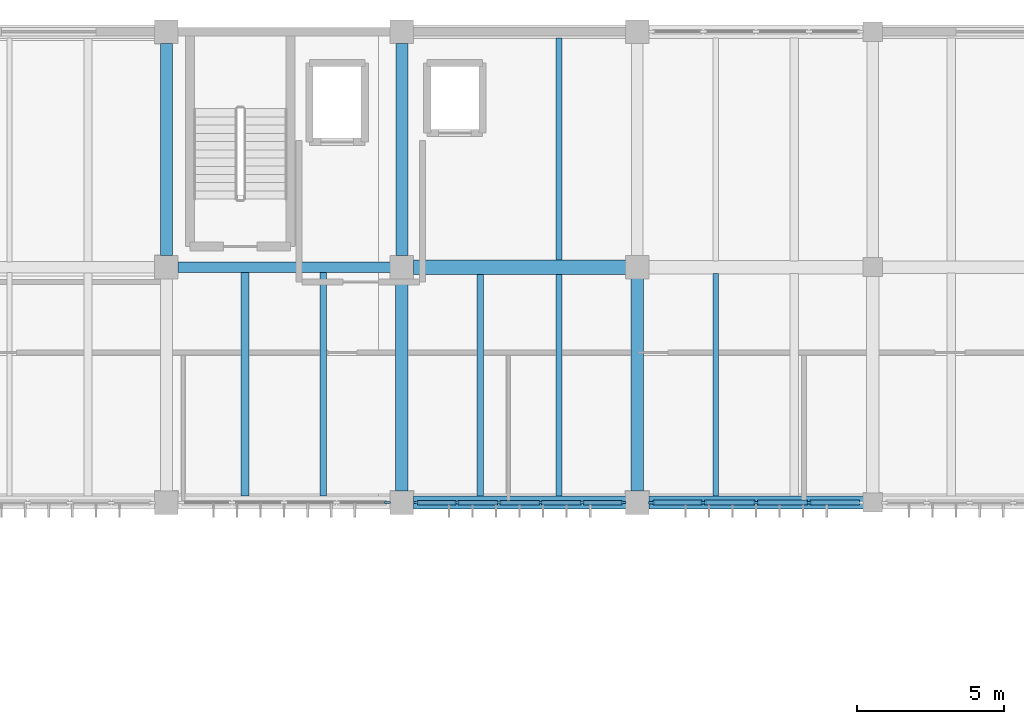
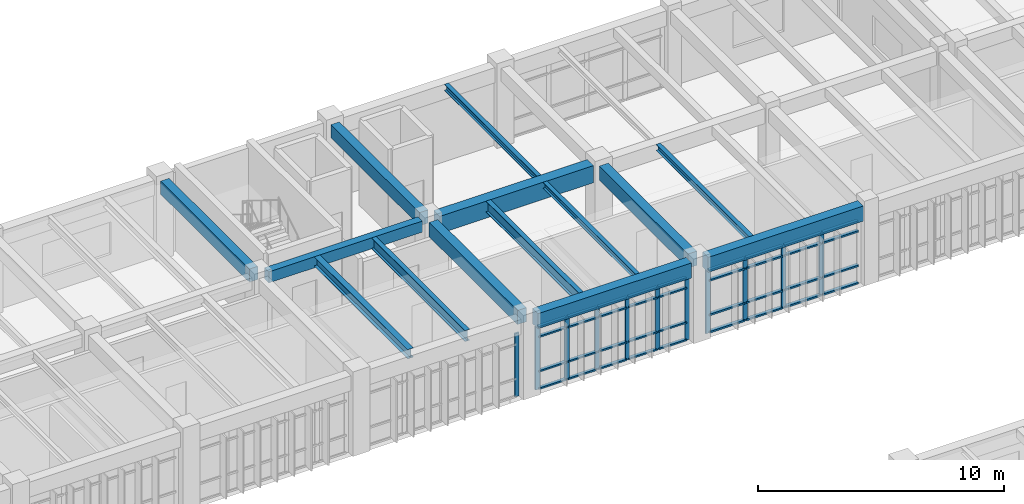
# One storey, part 21 of 67: 47 members, 14 beams, 3 elements without a shape of their own.
"""IFC4 building model written with IfcOpenShell, lengths in metres."""

from ifc_helpers import new_model, si_unit, direction, frame, origin, origin_2d, place, context, subcontext, project, spatial, rectangle, i_section, extrude, material, material_profile, profile_set, type_object, element, aggregate, save


model = new_model("IFC4")

# Units and contexts
model_context = context("Model", 3, precision=1e-05, world=origin(), true_north=direction((0.0, 1.0)))
body_context = subcontext(model_context, "Body", "Model", "MODEL_VIEW")
ifc_project = project(units=[si_unit("LENGTHUNIT", "METRE"), si_unit("AREAUNIT", "SQUARE_METRE"), si_unit("VOLUMEUNIT", "CUBIC_METRE"), si_unit("PLANEANGLEUNIT", "RADIAN"), si_unit("MASSUNIT", "GRAM", prefix="KILO")], contexts=[model_context])

# Site, building, storey
site_placement = place(None, origin())
site = spatial("IfcSite", under=ifc_project, at=site_placement, CompositionType="ELEMENT")
building_placement = place(site_placement, origin())
building = spatial("IfcBuilding", under=site, at=building_placement, Name="Tlaxcora Railside Police Headquarters", CompositionType="ELEMENT")
storey_placement = place(building_placement, frame((0.0, 0.0, 4.800048828125)))
storey = spatial("IfcBuildingStorey", under=building, at=storey_placement, Name="L01", CompositionType="ELEMENT", Elevation=4.800048828125)

# Curtain wall, member
ifc_material_1 = material(Name="Thermally broken low-E insulated glazing", Category="glass")
curtain_wall_type_1 = type_object("IfcCurtainWallType", Name="Unitised Curtain Wall Assembly CW-38", PredefinedType="NOTDEFINED", material=ifc_material_1)
curtain_wall_1_placement = place(storey_placement, origin())
curtain_wall_1 = element("IfcCurtainWall", 1, at=curtain_wall_1_placement, inside=storey, type_object=curtain_wall_type_1, Name="V5 L01 curtain wall 37", PredefinedType="NOTDEFINED")
ifc_material_2 = material(Name="Anodised aluminium framing", Category="aluminium")
ifc_material_profile_1 = material_profile(ifc_material_2, rectangle(XDim=0.074951171875, YDim=0.205078125, at=origin_2d()), Name="AL75X205")
ifc_profile_set_1 = profile_set([ifc_material_profile_1], Name="Anodised aluminium framing")
member_type_1 = type_object("IfcMemberType", Name="Curtain Wall Mullion CW-32", PredefinedType="MULLION", material=ifc_profile_set_1)
member_1_placement = place(storey_placement, frame((77.512451171875, 76.800048828125, 0.0), z_axis=(0.0, 0.0, 1.0), x_axis=(0.0, 1.0, 0.0)))
member_1 = element("IfcMember", 2, at=member_1_placement, type_object=member_type_1, Name="CW mullion 5", PredefinedType="MULLION", context=body_context, shape_type="SweptSolid", body=[
    extrude(rectangle(XDim=0.074951171875, YDim=0.205078125, at=origin_2d()), origin(), (0.0, 0.0, 1.0), 3.139892578125),
])
aggregate(curtain_wall_1, [member_1])

# Curtain wall, members
curtain_wall_type_2 = type_object("IfcCurtainWallType", Name="Unitised Curtain Wall Assembly CW-15", PredefinedType="NOTDEFINED", material=ifc_material_1)
curtain_wall_2_placement = place(storey_placement, origin())
curtain_wall_2 = element("IfcCurtainWall", 3, at=curtain_wall_2_placement, inside=storey, type_object=curtain_wall_type_2, Name="V5 L01 curtain wall 38", PredefinedType="NOTDEFINED")
ifc_material_profile_2 = material_profile(ifc_material_2, rectangle(XDim=0.074951171875, YDim=0.199951171875, at=origin_2d()), Name="AL75X200")
ifc_profile_set_2 = profile_set([ifc_material_profile_2], Name="Anodised aluminium framing")
member_type_2 = type_object("IfcMemberType", Name="Curtain Wall Mullion CW-58", PredefinedType="MULLION", material=ifc_profile_set_2)
member_2_placement = place(storey_placement, frame((78.487548828125, 76.800048828125, 0.0), z_axis=(0.0, 0.0, 1.0), x_axis=(0.0, 1.0, 0.0)))
member_2 = element("IfcMember", 4, at=member_2_placement, type_object=member_type_2, Name="CW mullion 1", PredefinedType="MULLION", context=body_context, shape_type="SweptSolid", body=[
    extrude(rectangle(XDim=0.074951171875, YDim=0.199951171875, at=origin_2d()), origin(), (0.0, 0.0, 1.0), 3.139892578125),
])
member_3_placement = place(storey_placement, frame((79.8701171875, 76.800048828125, 0.0), z_axis=(0.0, 0.0, 1.0), x_axis=(0.0, 1.0, 0.0)))
member_3 = element("IfcMember", 5, at=member_3_placement, type_object=member_type_2, Name="CW mullion 2", PredefinedType="MULLION", context=body_context, shape_type="SweptSolid", body=[
    extrude(rectangle(XDim=0.074951171875, YDim=0.199951171875, at=origin_2d()), origin(), (0.0, 0.0, 1.0), 3.139892578125),
])
member_4_placement = place(storey_placement, frame((81.2900390625, 76.800048828125, 0.0), z_axis=(0.0, 0.0, 1.0), x_axis=(0.0, 1.0, 0.0)))
member_4 = element("IfcMember", 6, at=member_4_placement, type_object=member_type_2, Name="CW mullion 3", PredefinedType="MULLION", context=body_context, shape_type="SweptSolid", body=[
    extrude(rectangle(XDim=0.074951171875, YDim=0.199951171875, at=origin_2d()), origin(), (0.0, 0.0, 1.0), 3.139892578125),
])
member_5_placement = place(storey_placement, frame((82.7099609375, 76.800048828125, 0.0), z_axis=(0.0, 0.0, 1.0), x_axis=(0.0, 1.0, 0.0)))
member_5 = element("IfcMember", 7, at=member_5_placement, type_object=member_type_2, Name="CW mullion 4", PredefinedType="MULLION", context=body_context, shape_type="SweptSolid", body=[
    extrude(rectangle(XDim=0.074951171875, YDim=0.199951171875, at=origin_2d()), origin(), (0.0, 0.0, 1.0), 3.139892578125),
])
member_6_placement = place(storey_placement, frame((84.1298828125, 76.800048828125, 0.0), z_axis=(0.0, 0.0, 1.0), x_axis=(0.0, 1.0, 0.0)))
member_6 = element("IfcMember", 8, at=member_6_placement, type_object=member_type_2, Name="CW mullion 5", PredefinedType="MULLION", context=body_context, shape_type="SweptSolid", body=[
    extrude(rectangle(XDim=0.074951171875, YDim=0.199951171875, at=origin_2d()), origin(), (0.0, 0.0, 1.0), 3.139892578125),
])
member_7_placement = place(storey_placement, frame((85.512451171875, 76.800048828125, 0.0), z_axis=(0.0, 0.0, 1.0), x_axis=(0.0, 1.0, 0.0)))
member_7 = element("IfcMember", 9, at=member_7_placement, type_object=member_type_2, Name="CW mullion 6", PredefinedType="MULLION", context=body_context, shape_type="SweptSolid", body=[
    extrude(rectangle(XDim=0.074951171875, YDim=0.199951171875, at=origin_2d()), origin(), (0.0, 0.0, 1.0), 3.139892578125),
])

curtain_wall_type_3 = type_object("IfcCurtainWallType", Name="Unitised Curtain Wall Assembly CW-83", PredefinedType="NOTDEFINED", material=ifc_material_1)
curtain_wall_3_placement = place(storey_placement, origin())
curtain_wall_3 = element("IfcCurtainWall", 10, at=curtain_wall_3_placement, inside=storey, type_object=curtain_wall_type_3, Name="V5 L01 curtain wall 39", PredefinedType="NOTDEFINED")
ifc_material_profile_3 = material_profile(ifc_material_2, rectangle(XDim=0.080078125, YDim=0.2099609375, at=origin_2d()), Name="AL80X210")
ifc_profile_set_3 = profile_set([ifc_material_profile_3], Name="Anodised aluminium framing")
member_type_3 = type_object("IfcMemberType", Name="Curtain Wall Mullion CW-76", PredefinedType="MULLION", material=ifc_profile_set_3)
member_8_placement = place(storey_placement, frame((86.489990234375, 76.800048828125, 0.0), z_axis=(0.0, 0.0, 1.0), x_axis=(0.0, 1.0, 0.0)))
member_8 = element("IfcMember", 11, at=member_8_placement, type_object=member_type_3, Name="CW mullion 1", PredefinedType="MULLION", context=body_context, shape_type="SweptSolid", body=[
    extrude(rectangle(XDim=0.080078125, YDim=0.2099609375, at=origin_2d()), origin(), (0.0, 0.0, 1.0), 3.139892578125),
])
member_9_placement = place(storey_placement, frame((88.24365234375, 76.800048828125, 0.0), z_axis=(0.0, 0.0, 1.0), x_axis=(0.0, 1.0, 0.0)))
member_9 = element("IfcMember", 12, at=member_9_placement, type_object=member_type_3, Name="CW mullion 2", PredefinedType="MULLION", context=body_context, shape_type="SweptSolid", body=[
    extrude(rectangle(XDim=0.080078125, YDim=0.2099609375, at=origin_2d()), origin(), (0.0, 0.0, 1.0), 3.139892578125),
])
member_10_placement = place(storey_placement, frame((90.03759765625, 76.800048828125, 0.0), z_axis=(0.0, 0.0, 1.0), x_axis=(0.0, 1.0, 0.0)))
member_10 = element("IfcMember", 13, at=member_10_placement, type_object=member_type_3, Name="CW mullion 3", PredefinedType="MULLION", context=body_context, shape_type="SweptSolid", body=[
    extrude(rectangle(XDim=0.080078125, YDim=0.2099609375, at=origin_2d()), origin(), (0.0, 0.0, 1.0), 3.139892578125),
])
member_11_placement = place(storey_placement, frame((91.831298828125, 76.800048828125, 0.0), z_axis=(0.0, 0.0, 1.0), x_axis=(0.0, 1.0, 0.0)))
member_11 = element("IfcMember", 14, at=member_11_placement, type_object=member_type_3, Name="CW mullion 4", PredefinedType="MULLION", context=body_context, shape_type="SweptSolid", body=[
    extrude(rectangle(XDim=0.080078125, YDim=0.2099609375, at=origin_2d()), origin(), (0.0, 0.0, 1.0), 3.139892578125),
])

# Member
ifc_material_profile_4 = material_profile(ifc_material_2, rectangle(XDim=0.14990234375, YDim=0.074951171875, at=origin_2d()), Name="AL75X150")
ifc_profile_set_4 = profile_set([ifc_material_profile_4], Name="Anodised aluminium framing")
member_type_4 = type_object("IfcMemberType", Name="Curtain Wall Transom CW-28", PredefinedType="USERDEFINED", material=ifc_profile_set_4)
member_12_placement = place(storey_placement, frame((78.52490234375, 76.800048828125, 0.037353515625), z_axis=(1.0, 0.0, 0.0), x_axis=(0.0, 1.0, 0.0)))
member_12 = element("IfcMember", 15, at=member_12_placement, type_object=member_type_4, Name="CW transom 1.1", ObjectType="TRANSOM", PredefinedType="USERDEFINED", context=body_context, shape_type="SweptSolid", body=[
    extrude(rectangle(XDim=0.14990234375, YDim=0.074951171875, at=origin_2d()), origin(), (0.0, 0.0, 1.0), 1.3076171875),
])

member_13_placement = place(storey_placement, frame((78.52490234375, 76.800048828125, 0.89990234375), z_axis=(1.0, 0.0, 0.0), x_axis=(0.0, 1.0, 0.0)))
member_13 = element("IfcMember", 16, at=member_13_placement, type_object=member_type_4, Name="CW transom 1.2", ObjectType="TRANSOM", PredefinedType="USERDEFINED", context=body_context, shape_type="SweptSolid", body=[
    extrude(rectangle(XDim=0.14990234375, YDim=0.074951171875, at=origin_2d()), origin(), (0.0, 0.0, 1.0), 1.3076171875),
])

member_14_placement = place(storey_placement, frame((78.52490234375, 76.800048828125, 2.60986328125), z_axis=(1.0, 0.0, 0.0), x_axis=(0.0, 1.0, 0.0)))
member_14 = element("IfcMember", 17, at=member_14_placement, type_object=member_type_4, Name="CW transom 1.3", ObjectType="TRANSOM", PredefinedType="USERDEFINED", context=body_context, shape_type="SweptSolid", body=[
    extrude(rectangle(XDim=0.14990234375, YDim=0.074951171875, at=origin_2d()), origin(), (0.0, 0.0, 1.0), 1.3076171875),
])

member_15_placement = place(storey_placement, frame((78.52490234375, 76.800048828125, 3.1025390625), z_axis=(1.0, 0.0, 0.0), x_axis=(0.0, 1.0, 0.0)))
member_15 = element("IfcMember", 18, at=member_15_placement, type_object=member_type_4, Name="CW transom 1.4", ObjectType="TRANSOM", PredefinedType="USERDEFINED", context=body_context, shape_type="SweptSolid", body=[
    extrude(rectangle(XDim=0.14990234375, YDim=0.074951171875, at=origin_2d()), origin(), (0.0, 0.0, 1.0), 1.3076171875),
])

member_16_placement = place(storey_placement, frame((79.907470703125, 76.800048828125, 0.037353515625), z_axis=(1.0, 0.0, 0.0), x_axis=(0.0, 1.0, 0.0)))
member_16 = element("IfcMember", 19, at=member_16_placement, type_object=member_type_4, Name="CW transom 2.1", ObjectType="TRANSOM", PredefinedType="USERDEFINED", context=body_context, shape_type="SweptSolid", body=[
    extrude(rectangle(XDim=0.14990234375, YDim=0.074951171875, at=origin_2d()), origin(), (0.0, 0.0, 1.0), 1.344970703125),
])

member_17_placement = place(storey_placement, frame((79.907470703125, 76.800048828125, 0.89990234375), z_axis=(1.0, 0.0, 0.0), x_axis=(0.0, 1.0, 0.0)))
member_17 = element("IfcMember", 20, at=member_17_placement, type_object=member_type_4, Name="CW transom 2.2", ObjectType="TRANSOM", PredefinedType="USERDEFINED", context=body_context, shape_type="SweptSolid", body=[
    extrude(rectangle(XDim=0.14990234375, YDim=0.074951171875, at=origin_2d()), origin(), (0.0, 0.0, 1.0), 1.344970703125),
])

member_18_placement = place(storey_placement, frame((79.907470703125, 76.800048828125, 2.60986328125), z_axis=(1.0, 0.0, 0.0), x_axis=(0.0, 1.0, 0.0)))
member_18 = element("IfcMember", 21, at=member_18_placement, type_object=member_type_4, Name="CW transom 2.3", ObjectType="TRANSOM", PredefinedType="USERDEFINED", context=body_context, shape_type="SweptSolid", body=[
    extrude(rectangle(XDim=0.14990234375, YDim=0.074951171875, at=origin_2d()), origin(), (0.0, 0.0, 1.0), 1.344970703125),
])

member_19_placement = place(storey_placement, frame((79.907470703125, 76.800048828125, 3.1025390625), z_axis=(1.0, 0.0, 0.0), x_axis=(0.0, 1.0, 0.0)))
member_19 = element("IfcMember", 22, at=member_19_placement, type_object=member_type_4, Name="CW transom 2.4", ObjectType="TRANSOM", PredefinedType="USERDEFINED", context=body_context, shape_type="SweptSolid", body=[
    extrude(rectangle(XDim=0.14990234375, YDim=0.074951171875, at=origin_2d()), origin(), (0.0, 0.0, 1.0), 1.344970703125),
])

member_20_placement = place(storey_placement, frame((81.327392578125, 76.800048828125, 0.037353515625), z_axis=(1.0, 0.0, 0.0), x_axis=(0.0, 1.0, 0.0)))
member_20 = element("IfcMember", 23, at=member_20_placement, type_object=member_type_4, Name="CW transom 3.1", ObjectType="TRANSOM", PredefinedType="USERDEFINED", context=body_context, shape_type="SweptSolid", body=[
    extrude(rectangle(XDim=0.14990234375, YDim=0.074951171875, at=origin_2d()), origin(), (0.0, 0.0, 1.0), 1.34521484375),
])

member_21_placement = place(storey_placement, frame((81.327392578125, 76.800048828125, 0.89990234375), z_axis=(1.0, 0.0, 0.0), x_axis=(0.0, 1.0, 0.0)))
member_21 = element("IfcMember", 24, at=member_21_placement, type_object=member_type_4, Name="CW transom 3.2", ObjectType="TRANSOM", PredefinedType="USERDEFINED", context=body_context, shape_type="SweptSolid", body=[
    extrude(rectangle(XDim=0.14990234375, YDim=0.074951171875, at=origin_2d()), origin(), (0.0, 0.0, 1.0), 1.34521484375),
])

member_22_placement = place(storey_placement, frame((81.327392578125, 76.800048828125, 2.60986328125), z_axis=(1.0, 0.0, 0.0), x_axis=(0.0, 1.0, 0.0)))
member_22 = element("IfcMember", 25, at=member_22_placement, type_object=member_type_4, Name="CW transom 3.3", ObjectType="TRANSOM", PredefinedType="USERDEFINED", context=body_context, shape_type="SweptSolid", body=[
    extrude(rectangle(XDim=0.14990234375, YDim=0.074951171875, at=origin_2d()), origin(), (0.0, 0.0, 1.0), 1.34521484375),
])

member_23_placement = place(storey_placement, frame((81.327392578125, 76.800048828125, 3.1025390625), z_axis=(1.0, 0.0, 0.0), x_axis=(0.0, 1.0, 0.0)))
member_23 = element("IfcMember", 26, at=member_23_placement, type_object=member_type_4, Name="CW transom 3.4", ObjectType="TRANSOM", PredefinedType="USERDEFINED", context=body_context, shape_type="SweptSolid", body=[
    extrude(rectangle(XDim=0.14990234375, YDim=0.074951171875, at=origin_2d()), origin(), (0.0, 0.0, 1.0), 1.34521484375),
])

member_24_placement = place(storey_placement, frame((82.74755859375, 76.800048828125, 0.037353515625), z_axis=(1.0, 0.0, 0.0), x_axis=(0.0, 1.0, 0.0)))
member_24 = element("IfcMember", 27, at=member_24_placement, type_object=member_type_4, Name="CW transom 4.1", ObjectType="TRANSOM", PredefinedType="USERDEFINED", context=body_context, shape_type="SweptSolid", body=[
    extrude(rectangle(XDim=0.14990234375, YDim=0.074951171875, at=origin_2d()), origin(), (0.0, 0.0, 1.0), 1.344970703125),
])

member_25_placement = place(storey_placement, frame((82.74755859375, 76.800048828125, 0.89990234375), z_axis=(1.0, 0.0, 0.0), x_axis=(0.0, 1.0, 0.0)))
member_25 = element("IfcMember", 28, at=member_25_placement, type_object=member_type_4, Name="CW transom 4.2", ObjectType="TRANSOM", PredefinedType="USERDEFINED", context=body_context, shape_type="SweptSolid", body=[
    extrude(rectangle(XDim=0.14990234375, YDim=0.074951171875, at=origin_2d()), origin(), (0.0, 0.0, 1.0), 1.344970703125),
])

member_26_placement = place(storey_placement, frame((82.74755859375, 76.800048828125, 2.60986328125), z_axis=(1.0, 0.0, 0.0), x_axis=(0.0, 1.0, 0.0)))
member_26 = element("IfcMember", 29, at=member_26_placement, type_object=member_type_4, Name="CW transom 4.3", ObjectType="TRANSOM", PredefinedType="USERDEFINED", context=body_context, shape_type="SweptSolid", body=[
    extrude(rectangle(XDim=0.14990234375, YDim=0.074951171875, at=origin_2d()), origin(), (0.0, 0.0, 1.0), 1.344970703125),
])

member_27_placement = place(storey_placement, frame((82.74755859375, 76.800048828125, 3.1025390625), z_axis=(1.0, 0.0, 0.0), x_axis=(0.0, 1.0, 0.0)))
member_27 = element("IfcMember", 30, at=member_27_placement, type_object=member_type_4, Name="CW transom 4.4", ObjectType="TRANSOM", PredefinedType="USERDEFINED", context=body_context, shape_type="SweptSolid", body=[
    extrude(rectangle(XDim=0.14990234375, YDim=0.074951171875, at=origin_2d()), origin(), (0.0, 0.0, 1.0), 1.344970703125),
])

member_28_placement = place(storey_placement, frame((84.16748046875, 76.800048828125, 0.037353515625), z_axis=(1.0, 0.0, 0.0), x_axis=(0.0, 1.0, 0.0)))
member_28 = element("IfcMember", 31, at=member_28_placement, type_object=member_type_4, Name="CW transom 5.1", ObjectType="TRANSOM", PredefinedType="USERDEFINED", context=body_context, shape_type="SweptSolid", body=[
    extrude(rectangle(XDim=0.14990234375, YDim=0.074951171875, at=origin_2d()), origin(), (0.0, 0.0, 1.0), 1.3076171875),
])

member_29_placement = place(storey_placement, frame((84.16748046875, 76.800048828125, 0.89990234375), z_axis=(1.0, 0.0, 0.0), x_axis=(0.0, 1.0, 0.0)))
member_29 = element("IfcMember", 32, at=member_29_placement, type_object=member_type_4, Name="CW transom 5.2", ObjectType="TRANSOM", PredefinedType="USERDEFINED", context=body_context, shape_type="SweptSolid", body=[
    extrude(rectangle(XDim=0.14990234375, YDim=0.074951171875, at=origin_2d()), origin(), (0.0, 0.0, 1.0), 1.3076171875),
])

member_30_placement = place(storey_placement, frame((84.16748046875, 76.800048828125, 2.60986328125), z_axis=(1.0, 0.0, 0.0), x_axis=(0.0, 1.0, 0.0)))
member_30 = element("IfcMember", 33, at=member_30_placement, type_object=member_type_4, Name="CW transom 5.3", ObjectType="TRANSOM", PredefinedType="USERDEFINED", context=body_context, shape_type="SweptSolid", body=[
    extrude(rectangle(XDim=0.14990234375, YDim=0.074951171875, at=origin_2d()), origin(), (0.0, 0.0, 1.0), 1.3076171875),
])

member_31_placement = place(storey_placement, frame((84.16748046875, 76.800048828125, 3.1025390625), z_axis=(1.0, 0.0, 0.0), x_axis=(0.0, 1.0, 0.0)))
member_31 = element("IfcMember", 34, at=member_31_placement, type_object=member_type_4, Name="CW transom 5.4", ObjectType="TRANSOM", PredefinedType="USERDEFINED", context=body_context, shape_type="SweptSolid", body=[
    extrude(rectangle(XDim=0.14990234375, YDim=0.074951171875, at=origin_2d()), origin(), (0.0, 0.0, 1.0), 1.3076171875),
])

aggregate(curtain_wall_2, [member_2, member_3, member_4, member_5, member_6, member_7, member_12, member_13, member_14, member_15, member_16, member_17, member_18, member_19, member_20, member_21, member_22, member_23, member_24, member_25, member_26, member_27, member_28, member_29, member_30, member_31])

ifc_material_profile_5 = material_profile(ifc_material_2, rectangle(XDim=0.159912109375, YDim=0.080078125, at=origin_2d()), Name="AL80X160")
ifc_profile_set_5 = profile_set([ifc_material_profile_5], Name="Anodised aluminium framing")
member_type_5 = type_object("IfcMemberType", Name="Curtain Wall Transom CW-82", PredefinedType="USERDEFINED", material=ifc_profile_set_5)
member_32_placement = place(storey_placement, frame((86.530029296875, 76.800048828125, 0.0400390625), z_axis=(1.0, 0.0, 0.0), x_axis=(0.0, 1.0, 0.0)))
member_32 = element("IfcMember", 35, at=member_32_placement, type_object=member_type_5, Name="CW transom 1.1", ObjectType="TRANSOM", PredefinedType="USERDEFINED", context=body_context, shape_type="SweptSolid", body=[
    extrude(rectangle(XDim=0.159912109375, YDim=0.080078125, at=origin_2d()), origin(), (0.0, 0.0, 1.0), 1.673828125),
])

member_33_placement = place(storey_placement, frame((86.530029296875, 76.800048828125, 0.89990234375), z_axis=(1.0, 0.0, 0.0), x_axis=(0.0, 1.0, 0.0)))
member_33 = element("IfcMember", 36, at=member_33_placement, type_object=member_type_5, Name="CW transom 1.2", ObjectType="TRANSOM", PredefinedType="USERDEFINED", context=body_context, shape_type="SweptSolid", body=[
    extrude(rectangle(XDim=0.159912109375, YDim=0.080078125, at=origin_2d()), origin(), (0.0, 0.0, 1.0), 1.673828125),
])

member_34_placement = place(storey_placement, frame((86.530029296875, 76.800048828125, 2.60986328125), z_axis=(1.0, 0.0, 0.0), x_axis=(0.0, 1.0, 0.0)))
member_34 = element("IfcMember", 37, at=member_34_placement, type_object=member_type_5, Name="CW transom 1.3", ObjectType="TRANSOM", PredefinedType="USERDEFINED", context=body_context, shape_type="SweptSolid", body=[
    extrude(rectangle(XDim=0.159912109375, YDim=0.080078125, at=origin_2d()), origin(), (0.0, 0.0, 1.0), 1.673828125),
])

member_35_placement = place(storey_placement, frame((86.530029296875, 76.800048828125, 3.099853515625), z_axis=(1.0, 0.0, 0.0), x_axis=(0.0, 1.0, 0.0)))
member_35 = element("IfcMember", 38, at=member_35_placement, type_object=member_type_5, Name="CW transom 1.4", ObjectType="TRANSOM", PredefinedType="USERDEFINED", context=body_context, shape_type="SweptSolid", body=[
    extrude(rectangle(XDim=0.159912109375, YDim=0.080078125, at=origin_2d()), origin(), (0.0, 0.0, 1.0), 1.673828125),
])

member_36_placement = place(storey_placement, frame((88.28369140625, 76.800048828125, 0.0400390625), z_axis=(1.0, 0.0, 0.0), x_axis=(0.0, 1.0, 0.0)))
member_36 = element("IfcMember", 39, at=member_36_placement, type_object=member_type_5, Name="CW transom 2.1", ObjectType="TRANSOM", PredefinedType="USERDEFINED", context=body_context, shape_type="SweptSolid", body=[
    extrude(rectangle(XDim=0.159912109375, YDim=0.080078125, at=origin_2d()), origin(), (0.0, 0.0, 1.0), 1.7138671875),
])

member_37_placement = place(storey_placement, frame((88.28369140625, 76.800048828125, 0.89990234375), z_axis=(1.0, 0.0, 0.0), x_axis=(0.0, 1.0, 0.0)))
member_37 = element("IfcMember", 40, at=member_37_placement, type_object=member_type_5, Name="CW transom 2.2", ObjectType="TRANSOM", PredefinedType="USERDEFINED", context=body_context, shape_type="SweptSolid", body=[
    extrude(rectangle(XDim=0.159912109375, YDim=0.080078125, at=origin_2d()), origin(), (0.0, 0.0, 1.0), 1.7138671875),
])

member_38_placement = place(storey_placement, frame((88.28369140625, 76.800048828125, 2.60986328125), z_axis=(1.0, 0.0, 0.0), x_axis=(0.0, 1.0, 0.0)))
member_38 = element("IfcMember", 41, at=member_38_placement, type_object=member_type_5, Name="CW transom 2.3", ObjectType="TRANSOM", PredefinedType="USERDEFINED", context=body_context, shape_type="SweptSolid", body=[
    extrude(rectangle(XDim=0.159912109375, YDim=0.080078125, at=origin_2d()), origin(), (0.0, 0.0, 1.0), 1.7138671875),
])

member_39_placement = place(storey_placement, frame((88.28369140625, 76.800048828125, 3.099853515625), z_axis=(1.0, 0.0, 0.0), x_axis=(0.0, 1.0, 0.0)))
member_39 = element("IfcMember", 42, at=member_39_placement, type_object=member_type_5, Name="CW transom 2.4", ObjectType="TRANSOM", PredefinedType="USERDEFINED", context=body_context, shape_type="SweptSolid", body=[
    extrude(rectangle(XDim=0.159912109375, YDim=0.080078125, at=origin_2d()), origin(), (0.0, 0.0, 1.0), 1.7138671875),
])

member_40_placement = place(storey_placement, frame((90.077392578125, 76.800048828125, 0.0400390625), z_axis=(1.0, 0.0, 0.0), x_axis=(0.0, 1.0, 0.0)))
member_40 = element("IfcMember", 43, at=member_40_placement, type_object=member_type_5, Name="CW transom 3.1", ObjectType="TRANSOM", PredefinedType="USERDEFINED", context=body_context, shape_type="SweptSolid", body=[
    extrude(rectangle(XDim=0.159912109375, YDim=0.080078125, at=origin_2d()), origin(), (0.0, 0.0, 1.0), 1.7138671875),
])

member_41_placement = place(storey_placement, frame((90.077392578125, 76.800048828125, 0.89990234375), z_axis=(1.0, 0.0, 0.0), x_axis=(0.0, 1.0, 0.0)))
member_41 = element("IfcMember", 44, at=member_41_placement, type_object=member_type_5, Name="CW transom 3.2", ObjectType="TRANSOM", PredefinedType="USERDEFINED", context=body_context, shape_type="SweptSolid", body=[
    extrude(rectangle(XDim=0.159912109375, YDim=0.080078125, at=origin_2d()), origin(), (0.0, 0.0, 1.0), 1.7138671875),
])

member_42_placement = place(storey_placement, frame((90.077392578125, 76.800048828125, 2.60986328125), z_axis=(1.0, 0.0, 0.0), x_axis=(0.0, 1.0, 0.0)))
member_42 = element("IfcMember", 45, at=member_42_placement, type_object=member_type_5, Name="CW transom 3.3", ObjectType="TRANSOM", PredefinedType="USERDEFINED", context=body_context, shape_type="SweptSolid", body=[
    extrude(rectangle(XDim=0.159912109375, YDim=0.080078125, at=origin_2d()), origin(), (0.0, 0.0, 1.0), 1.7138671875),
])

member_43_placement = place(storey_placement, frame((90.077392578125, 76.800048828125, 3.099853515625), z_axis=(1.0, 0.0, 0.0), x_axis=(0.0, 1.0, 0.0)))
member_43 = element("IfcMember", 46, at=member_43_placement, type_object=member_type_5, Name="CW transom 3.4", ObjectType="TRANSOM", PredefinedType="USERDEFINED", context=body_context, shape_type="SweptSolid", body=[
    extrude(rectangle(XDim=0.159912109375, YDim=0.080078125, at=origin_2d()), origin(), (0.0, 0.0, 1.0), 1.7138671875),
])

member_44_placement = place(storey_placement, frame((91.871337890625, 76.800048828125, 0.0400390625), z_axis=(1.0, 0.0, 0.0), x_axis=(0.0, 1.0, 0.0)))
member_44 = element("IfcMember", 47, at=member_44_placement, type_object=member_type_5, Name="CW transom 4.1", ObjectType="TRANSOM", PredefinedType="USERDEFINED", context=body_context, shape_type="SweptSolid", body=[
    extrude(rectangle(XDim=0.159912109375, YDim=0.080078125, at=origin_2d()), origin(), (0.0, 0.0, 1.0), 1.673583984375),
])

member_45_placement = place(storey_placement, frame((91.871337890625, 76.800048828125, 0.89990234375), z_axis=(1.0, 0.0, 0.0), x_axis=(0.0, 1.0, 0.0)))
member_45 = element("IfcMember", 48, at=member_45_placement, type_object=member_type_5, Name="CW transom 4.2", ObjectType="TRANSOM", PredefinedType="USERDEFINED", context=body_context, shape_type="SweptSolid", body=[
    extrude(rectangle(XDim=0.159912109375, YDim=0.080078125, at=origin_2d()), origin(), (0.0, 0.0, 1.0), 1.673583984375),
])

member_46_placement = place(storey_placement, frame((91.871337890625, 76.800048828125, 2.60986328125), z_axis=(1.0, 0.0, 0.0), x_axis=(0.0, 1.0, 0.0)))
member_46 = element("IfcMember", 49, at=member_46_placement, type_object=member_type_5, Name="CW transom 4.3", ObjectType="TRANSOM", PredefinedType="USERDEFINED", context=body_context, shape_type="SweptSolid", body=[
    extrude(rectangle(XDim=0.159912109375, YDim=0.080078125, at=origin_2d()), origin(), (0.0, 0.0, 1.0), 1.673583984375),
])

member_47_placement = place(storey_placement, frame((91.871337890625, 76.800048828125, 3.099853515625), z_axis=(1.0, 0.0, 0.0), x_axis=(0.0, 1.0, 0.0)))
member_47 = element("IfcMember", 50, at=member_47_placement, type_object=member_type_5, Name="CW transom 4.4", ObjectType="TRANSOM", PredefinedType="USERDEFINED", context=body_context, shape_type="SweptSolid", body=[
    extrude(rectangle(XDim=0.159912109375, YDim=0.080078125, at=origin_2d()), origin(), (0.0, 0.0, 1.0), 1.673583984375),
])

aggregate(curtain_wall_3, [member_8, member_9, member_10, member_11, member_32, member_33, member_34, member_35, member_36, member_37, member_38, member_39, member_40, member_41, member_42, member_43, member_44, member_45, member_46, member_47])

# Beams
ifc_material_3 = material(Name="Concrete C40/50", Category="concrete")
ifc_material_profile_6 = material_profile(ifc_material_3, rectangle(XDim=0.449951171875, YDim=0.75, at=origin_2d()), Name="RC450X750")
ifc_profile_set_6 = profile_set([ifc_material_profile_6], Name="Concrete C40/50")
beam_type_1 = type_object("IfcBeamType", Name="Perimeter Spandrel Beam BM-86", PredefinedType="SPANDREL", material=ifc_profile_set_6)
beam_1_placement = place(storey_placement, frame((78.389892578125, 76.800048828125, 3.534912109375), z_axis=(1.0, 0.0, 0.0), x_axis=(0.0, 1.0, 0.0)))
element("IfcBeam", 51, at=beam_1_placement, inside=storey, type_object=beam_type_1, Name="V5 L01 X-girder Y=76.8", PredefinedType="SPANDREL", context=body_context, shape_type="SweptSolid", body=[
    extrude(rectangle(XDim=0.449951171875, YDim=0.75, at=origin_2d()), origin(), (0.0, 0.0, 1.0), 7.22021484375),
])
beam_2_placement = place(storey_placement, frame((86.389892578125, 76.800048828125, 3.534912109375), z_axis=(1.0, 0.0, 0.0), x_axis=(0.0, 1.0, 0.0)))
element("IfcBeam", 52, at=beam_2_placement, inside=storey, type_object=beam_type_1, Name="V5 L01 X-girder Y=76.8", PredefinedType="SPANDREL", context=body_context, shape_type="SweptSolid", body=[
    extrude(rectangle(XDim=0.449951171875, YDim=0.75, at=origin_2d()), origin(), (0.0, 0.0, 1.0), 7.295166015625),
])
ifc_material_profile_7 = material_profile(ifc_material_3, rectangle(XDim=0.419921875, YDim=0.699951171875, at=origin_2d()), Name="RC420X700")
ifc_profile_set_7 = profile_set([ifc_material_profile_7], Name="Concrete C40/50")
beam_type_2 = type_object("IfcBeamType", Name="Primary Frame Girder BM-35", PredefinedType="BEAM", material=ifc_profile_set_7)
for number, where, z_axis, x_axis, name in (
    (53, (78.0, 77.18994140625, 3.56005859375), (0.0, 1.0, 0.0), (-1.0, 0.0, 0.0), "V5 L01 Y-girder X=78.0"),
    (54, (86.0, 77.18994140625, 3.56005859375), (0.0, 1.0, 0.0), (-1.0, 0.0, 0.0), "V5 L01 Y-girder X=86.0"),
):
    element("IfcBeam", number, at=place(storey_placement, frame(where, z_axis=z_axis, x_axis=x_axis)), inside=storey, type_object=beam_type_2, Name=name, PredefinedType="BEAM", context=body_context, shape_type="SweptSolid", body=[
        extrude(rectangle(XDim=0.419921875, YDim=0.699951171875, at=origin_2d()), origin(), (0.0, 0.0, 1.0), 7.219970703125),
    ])
ifc_material_profile_8 = material_profile(ifc_material_3, rectangle(XDim=0.35009765625, YDim=0.550048828125, at=origin_2d()), Name="RC350X550")
ifc_profile_set_8 = profile_set([ifc_material_profile_8], Name="Concrete C40/50")
beam_type_3 = type_object("IfcBeamType", Name="Primary Frame Girder BM-39", PredefinedType="BEAM", material=ifc_profile_set_8)
beam_3_placement = place(storey_placement, frame((70.389892578125, 84.800048828125, 3.635009765625), z_axis=(1.0, 0.0, 0.0), x_axis=(0.0, 1.0, 0.0)))
element("IfcBeam", 55, at=beam_3_placement, inside=storey, type_object=beam_type_3, Name="V5 L01 X-girder Y=84.8", PredefinedType="BEAM", context=body_context, shape_type="SweptSolid", body=[
    extrude(rectangle(XDim=0.35009765625, YDim=0.550048828125, at=origin_2d()), origin(), (0.0, 0.0, 1.0), 7.22021484375),
])
ifc_material_profile_9 = material_profile(ifc_material_3, rectangle(XDim=0.39990234375, YDim=0.64990234375, at=origin_2d()), Name="RC400X650")
ifc_profile_set_9 = profile_set([ifc_material_profile_9], Name="Concrete C40/50")
beam_type_4 = type_object("IfcBeamType", Name="Primary Frame Girder BM-41", PredefinedType="BEAM", material=ifc_profile_set_9)
for number, where, z_axis, x_axis, name in (
    (56, (70.0, 85.18994140625, 3.5849609375), (0.0, 1.0, 0.0), (-1.0, 0.0, 0.0), "V5 L01 Y-girder X=70.0"),
    (57, (78.0, 85.18994140625, 3.5849609375), (0.0, 1.0, 0.0), (-1.0, 0.0, 0.0), "V5 L01 Y-girder X=78.0"),
):
    element("IfcBeam", number, at=place(storey_placement, frame(where, z_axis=z_axis, x_axis=x_axis)), inside=storey, type_object=beam_type_4, Name=name, PredefinedType="BEAM", context=body_context, shape_type="SweptSolid", body=[
        extrude(rectangle(XDim=0.39990234375, YDim=0.64990234375, at=origin_2d()), origin(), (0.0, 0.0, 1.0), 7.219970703125),
    ])
ifc_material_profile_10 = material_profile(ifc_material_3, rectangle(XDim=0.5, YDim=0.85009765625, at=origin_2d()), Name="RC500X850")
ifc_profile_set_10 = profile_set([ifc_material_profile_10], Name="Concrete C40/50")
beam_type_5 = type_object("IfcBeamType", Name="Primary Frame Girder BM-64", PredefinedType="BEAM", material=ifc_profile_set_10)
beam_4_placement = place(storey_placement, frame((78.389892578125, 84.800048828125, 3.48486328125), z_axis=(1.0, 0.0, 0.0), x_axis=(0.0, 1.0, 0.0)))
element("IfcBeam", 58, at=beam_4_placement, inside=storey, type_object=beam_type_5, Name="V5 L01 X-girder Y=84.8", PredefinedType="BEAM", context=body_context, shape_type="SweptSolid", body=[
    extrude(rectangle(XDim=0.5, YDim=0.85009765625, at=origin_2d()), origin(), (0.0, 0.0, 1.0), 7.22021484375),
])
ifc_material_4 = material(Name="Steel ASTM A992 Grade 50", Category="steel")
ifc_material_profile_11 = material_profile(ifc_material_4, i_section(OverallWidth=0.280029296875, OverallDepth=0.4619140625, WebThickness=0.0107421875, FlangeThickness=0.017333984375, at=origin_2d()), Name="W18X76")
ifc_profile_set_11 = profile_set([ifc_material_profile_11], Name="Steel ASTM A992 Grade 50")
beam_type_6 = type_object("IfcBeamType", Name="Secondary Floor Joist BM-44", PredefinedType="JOIST", material=ifc_profile_set_11)
beam_5_placement = place(storey_placement, frame((72.666748046875, 77.01708984375, 3.678955078125), z_axis=(0.0, 1.0, 0.0), x_axis=(-1.0, 0.0, 0.0)))
element("IfcBeam", 59, at=beam_5_placement, inside=storey, type_object=beam_type_6, Name="V5 L01 floor joist X=72.67", PredefinedType="JOIST", context=body_context, shape_type="SweptSolid", body=[
    extrude(i_section(OverallWidth=0.280029296875, OverallDepth=0.4619140625, WebThickness=0.0107421875, FlangeThickness=0.017333984375, at=origin_2d()), origin(), (0.0, 0.0, 1.0), 7.615966796875),
])
ifc_material_profile_12 = material_profile(ifc_material_4, i_section(OverallWidth=0.202880859375, OverallDepth=0.302978515625, WebThickness=0.007568359375, FlangeThickness=0.01318359375, at=origin_2d()), Name="W12X40")
ifc_profile_set_12 = profile_set([ifc_material_profile_12], Name="Steel ASTM A992 Grade 50")
beam_type_7 = type_object("IfcBeamType", Name="Secondary Floor Joist BM-96", PredefinedType="JOIST", material=ifc_profile_set_12)
beam_6_placement = place(storey_placement, frame((83.333251953125, 77.01708984375, 3.758544921875), z_axis=(0.0, 1.0, 0.0), x_axis=(-1.0, 0.0, 0.0)))
element("IfcBeam", 60, at=beam_6_placement, inside=storey, type_object=beam_type_7, Name="V5 L01 floor joist X=83.33", PredefinedType="JOIST", context=body_context, shape_type="SweptSolid", body=[
    extrude(i_section(OverallWidth=0.202880859375, OverallDepth=0.302978515625, WebThickness=0.007568359375, FlangeThickness=0.01318359375, at=origin_2d()), origin(), (0.0, 0.0, 1.0), 7.541015625),
])
beam_7_placement = place(storey_placement, frame((88.666748046875, 77.01708984375, 3.758544921875), z_axis=(0.0, 1.0, 0.0), x_axis=(-1.0, 0.0, 0.0)))
element("IfcBeam", 61, at=beam_7_placement, inside=storey, type_object=beam_type_7, Name="V5 L01 floor joist X=88.67", PredefinedType="JOIST", context=body_context, shape_type="SweptSolid", body=[
    extrude(i_section(OverallWidth=0.202880859375, OverallDepth=0.302978515625, WebThickness=0.007568359375, FlangeThickness=0.01318359375, at=origin_2d()), origin(), (0.0, 0.0, 1.0), 7.56591796875),
])
beam_8_placement = place(storey_placement, frame((83.333251953125, 85.0419921875, 3.758544921875), z_axis=(0.0, 1.0, 0.0), x_axis=(-1.0, 0.0, 0.0)))
element("IfcBeam", 62, at=beam_8_placement, inside=storey, type_object=beam_type_7, Name="V5 L01 floor joist X=83.33", PredefinedType="JOIST", context=body_context, shape_type="SweptSolid", body=[
    extrude(i_section(OverallWidth=0.202880859375, OverallDepth=0.302978515625, WebThickness=0.007568359375, FlangeThickness=0.01318359375, at=origin_2d()), origin(), (0.0, 0.0, 1.0), 7.541015625),
])
ifc_material_profile_13 = material_profile(ifc_material_4, i_section(OverallWidth=0.214111328125, OverallDepth=0.549072265625, WebThickness=0.0146484375, FlangeThickness=0.023681640625, at=origin_2d()), Name="W21X93")
ifc_profile_set_13 = profile_set([ifc_material_profile_13], Name="Steel ASTM A992 Grade 50")
beam_type_8 = type_object("IfcBeamType", Name="Secondary Floor Joist BM-97", PredefinedType="JOIST", material=ifc_profile_set_13)
beam_9_placement = place(storey_placement, frame((75.333251953125, 77.01708984375, 3.635498046875), z_axis=(0.0, 1.0, 0.0), x_axis=(-1.0, 0.0, 0.0)))
element("IfcBeam", 63, at=beam_9_placement, inside=storey, type_object=beam_type_8, Name="V5 L01 floor joist X=75.33", PredefinedType="JOIST", context=body_context, shape_type="SweptSolid", body=[
    extrude(i_section(OverallWidth=0.214111328125, OverallDepth=0.549072265625, WebThickness=0.0146484375, FlangeThickness=0.023681640625, at=origin_2d()), origin(), (0.0, 0.0, 1.0), 7.615966796875),
])
beam_10_placement = place(storey_placement, frame((80.666748046875, 77.01708984375, 3.635498046875), z_axis=(0.0, 1.0, 0.0), x_axis=(-1.0, 0.0, 0.0)))
element("IfcBeam", 64, at=beam_10_placement, inside=storey, type_object=beam_type_8, Name="V5 L01 floor joist X=80.67", PredefinedType="JOIST", context=body_context, shape_type="SweptSolid", body=[
    extrude(i_section(OverallWidth=0.214111328125, OverallDepth=0.549072265625, WebThickness=0.0146484375, FlangeThickness=0.023681640625, at=origin_2d()), origin(), (0.0, 0.0, 1.0), 7.541015625),
])

save(model, "model.ifc")
